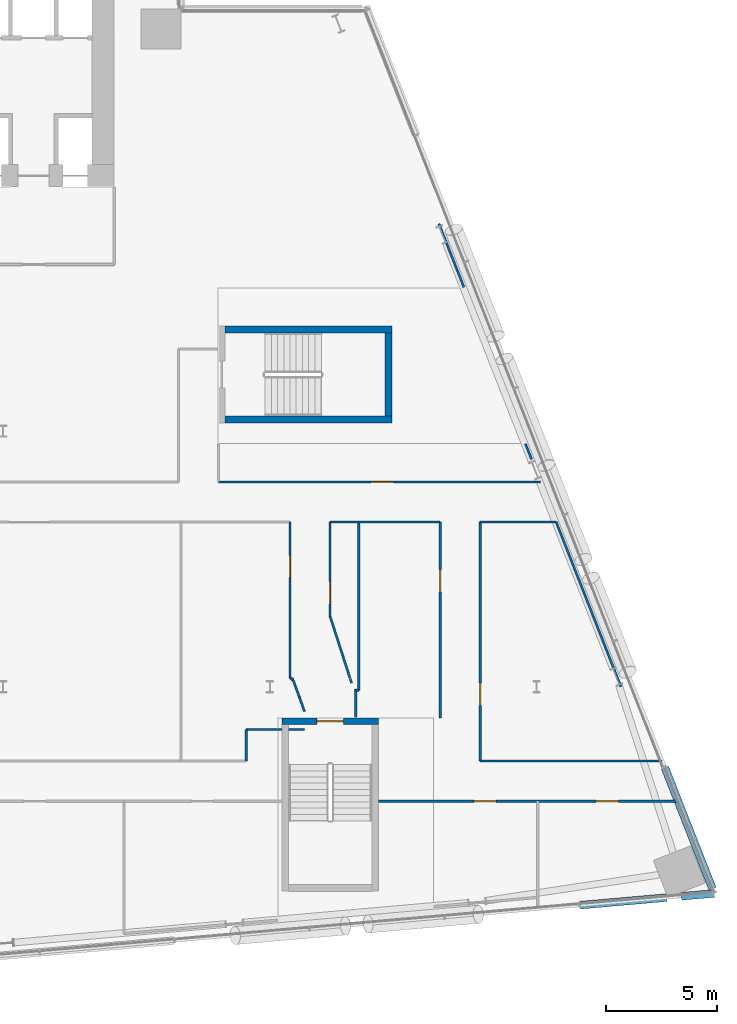
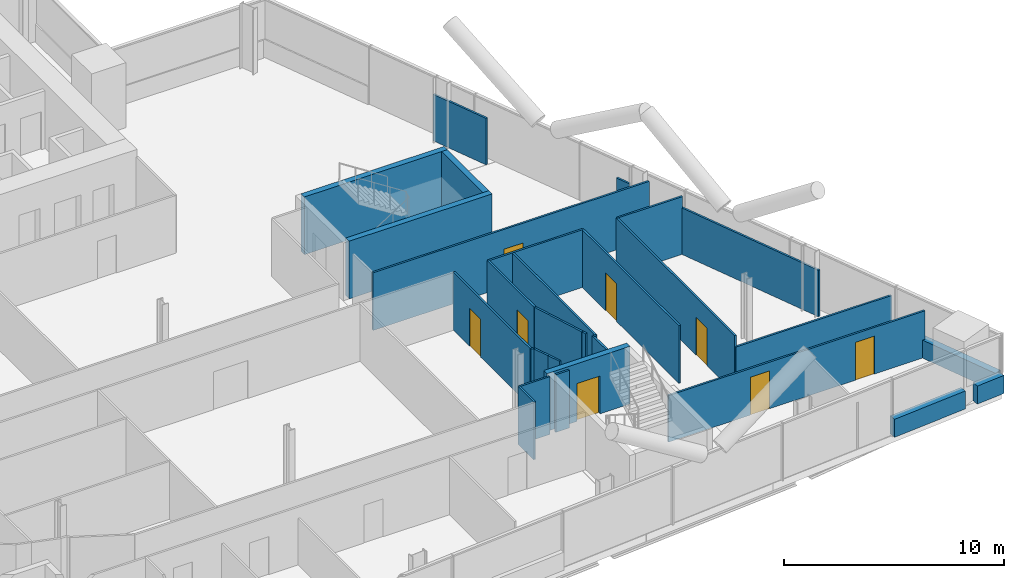
# One storey, part 20 of 28: 30 walls, 8 doors, 8 openings.
"""IFC4 building model written with IfcOpenShell, lengths in metres."""

from ifc_helpers import new_model, si_unit, direction, frame, frame_2d, origin, place, context, subcontext, project, spatial, rectangle, extrude, material, layer, layer_set, type_object, element, fill, save


model = new_model("IFC4")

# Units and contexts
model_context = context("Model", 3, precision=1e-05, world=origin(), true_north=direction((0.0, 1.0)))
body_context = subcontext(model_context, "Body", "Model", "MODEL_VIEW")
ifc_project = project(units=[si_unit("LENGTHUNIT", "METRE"), si_unit("AREAUNIT", "SQUARE_METRE"), si_unit("VOLUMEUNIT", "CUBIC_METRE"), si_unit("PLANEANGLEUNIT", "RADIAN"), si_unit("MASSUNIT", "GRAM", prefix="KILO")], contexts=[model_context])

# Site, building, storey
site_placement = place(None, origin())
site = spatial("IfcSite", under=ifc_project, at=site_placement, CompositionType="ELEMENT")
building_placement = place(site_placement, origin())
building = spatial("IfcBuilding", under=site, at=building_placement, Name="Wharfspan Tower", CompositionType="ELEMENT")
storey_placement = place(building_placement, frame((0.0, 0.0, 132.699951)))
storey = spatial("IfcBuildingStorey", under=building, at=storey_placement, Name="L31", CompositionType="ELEMENT", Elevation=132.699951)

# Wall, opening, door
ifc_material_1 = material(Name="Gypsum board on steel studs", Category="steel")
ifc_layer_1 = layer(ifc_material_1, 0.100098)
ifc_layer_set_1 = layer_set([ifc_layer_1], Name="Gypsum board on steel studs")
wall_type_1 = type_object("IfcWallType", Name="Compartment wall 100 EI 60", PredefinedType="PARTITIONING", material=ifc_layer_set_1)
wall_1_placement = place(storey_placement, frame((69.689941, 20.715088, 0.0), z_axis=(0.0, 0.0, 1.0), x_axis=(1.0, 0.0, 0.0)))
wall_1 = element("IfcWall", 1, at=wall_1_placement, inside=storey, type_object=wall_type_1, Name="Partition L31.w062", PredefinedType="PARTITIONING", context=body_context, shape_type="SweptSolid", body=[
    extrude(rectangle(XDim=14.485107, YDim=0.100098, at=frame_2d((7.242676, 0.0))), origin(), (0.0, 0.0, 1.0), 3.199951),
])
opening_1_placement = place(wall_1_placement, frame((6.87085, 0.0, 0.0)))
opening_1 = element("IfcOpeningElement", 2, at=opening_1_placement, cuts=wall_1, Name="Opening B5-28", PredefinedType="OPENING", context=body_context, shape_type="SweptSolid", body=[
    extrude(rectangle(XDim=1.0, YDim=2.100098, at=frame_2d((0.5, 1.050049))), frame((0.0, 0.060059, 0.0), z_axis=(0.0, -1.0, 0.0), x_axis=(1.0, 0.0, 0.0)), (0.0, 0.0, 1.0), 0.120117),
])
ifc_material_2 = material(Name="Fire-rated timber door leaf in steel frame", Category="steel")
door_type_1 = type_object("IfcDoorType", Name="Door 1000 FD30S Right", OperationType="SINGLE_SWING_RIGHT", PredefinedType="DOOR", material=ifc_material_2)
door_1_placement = place(opening_1_placement, origin())
door_1 = element("IfcDoor", 3, at=door_1_placement, inside=storey, type_object=door_type_1, Name="Door B5-28", OperationType="SINGLE_SWING_RIGHT", OverallHeight=2.100098, OverallWidth=1.0, PredefinedType="DOOR", context=body_context, shape_type="SweptSolid", body=[
    extrude(rectangle(XDim=1.0, YDim=2.100098, at=frame_2d((0.5, 1.050049))), frame((0.0, 0.024902, 0.0), z_axis=(0.0, -1.0, 0.0), x_axis=(1.0, 0.0, 0.0)), (0.0, 0.0, 1.0), 0.050049),
])
fill(opening_1, door_1)

# Walls
wall_2_placement = place(storey_placement, frame((70.939941, 8.149902, 0.0), z_axis=(0.0, 0.0, 1.0), x_axis=(0.0, 1.0, 0.0)))
element("IfcWall", 4, at=wall_2_placement, inside=storey, type_object=wall_type_1, Name="Partition L31.w063", PredefinedType="PARTITIONING", context=body_context, shape_type="SweptSolid", body=[
    extrude(rectangle(XDim=1.420166, YDim=0.100098, at=frame_2d((0.709961, 0.0))), origin(), (0.0, 0.0, 1.0), 3.199951),
])
wall_3_placement = place(storey_placement, frame((70.939941, 9.574951, 0.0), z_axis=(0.0, 0.0, 1.0), x_axis=(1.0, 0.0, 0.0)))
element("IfcWall", 5, at=wall_3_placement, inside=storey, type_object=wall_type_1, Name="Partition L31.w064", PredefinedType="PARTITIONING", context=body_context, shape_type="SweptSolid", body=[
    extrude(rectangle(XDim=1.601074, YDim=0.100098, at=frame_2d((0.800537, 0.0))), origin(), (0.0, 0.0, 1.0), 3.199951),
])

# Wall, opening, door
wall_4_placement = place(storey_placement, frame((72.915039, 11.89502, 0.0), z_axis=(0.0, 0.0, 1.0), x_axis=(0.0, 1.0, 0.0)))
wall_4 = element("IfcWall", 6, at=wall_4_placement, inside=storey, type_object=wall_type_1, Name="Partition L31.w065", PredefinedType="PARTITIONING", context=body_context, shape_type="SweptSolid", body=[
    extrude(rectangle(XDim=7.02002, YDim=0.100098, at=frame_2d((3.51001, 0.0))), origin(), (0.0, 0.0, 1.0), 3.199951),
])
opening_2_placement = place(wall_4_placement, frame((4.514893, 0.0, 0.0)))
opening_2 = element("IfcOpeningElement", 7, at=opening_2_placement, cuts=wall_4, Name="Opening B5-22", PredefinedType="OPENING", context=body_context, shape_type="SweptSolid", body=[
    extrude(rectangle(XDim=1.0, YDim=2.100098, at=frame_2d((0.5, 1.050049))), frame((0.0, 0.060059, 0.0), z_axis=(0.0, -1.0, 0.0), x_axis=(1.0, 0.0, 0.0)), (0.0, 0.0, 1.0), 0.120117),
])
door_2_placement = place(opening_2_placement, origin())
door_2 = element("IfcDoor", 8, at=door_2_placement, inside=storey, type_object=door_type_1, Name="Door B5-22", OperationType="SINGLE_SWING_RIGHT", OverallHeight=2.100098, OverallWidth=1.0, PredefinedType="DOOR", context=body_context, shape_type="SweptSolid", body=[
    extrude(rectangle(XDim=1.0, YDim=2.100098, at=frame_2d((0.5, 1.050049))), frame((0.0, 0.024902, 0.0), z_axis=(0.0, -1.0, 0.0), x_axis=(1.0, 0.0, 0.0)), (0.0, 0.0, 1.0), 0.050049),
])
fill(opening_2, door_2)

# Walls
wall_5_placement = place(storey_placement, frame((73.044922, 11.814941, 0.0), z_axis=(0.0, 0.0, 1.0), x_axis=(-0.851221, 0.524813, 0.0)))
element("IfcWall", 9, at=wall_5_placement, inside=storey, type_object=wall_type_1, Name="Partition L31.w066", PredefinedType="PARTITIONING", context=body_context, shape_type="SweptSolid", body=[
    extrude(rectangle(XDim=0.152588, YDim=0.100098, at=frame_2d((0.076172, 0.0))), origin(), (0.0, 0.0, 1.0), 3.199951),
])
wall_6_placement = place(storey_placement, frame((73.330078, 11.034912, 0.0), z_axis=(0.0, 0.0, 1.0), x_axis=(-0.343347, 0.939207, 0.0)))
element("IfcWall", 10, at=wall_6_placement, inside=storey, type_object=wall_type_1, Name="Partition L31.w067", PredefinedType="PARTITIONING", context=body_context, shape_type="SweptSolid", body=[
    extrude(rectangle(XDim=0.830566, YDim=0.100098, at=frame_2d((0.415283, 0.0))), origin(), (0.0, 0.0, 1.0), 3.199951),
])
wall_7_placement = place(storey_placement, frame((73.564941, 10.379883, 0.0), z_axis=(0.0, 0.0, 1.0), x_axis=(-0.337515, 0.941323, 0.0)))
element("IfcWall", 11, at=wall_7_placement, inside=storey, type_object=wall_type_1, Name="Partition L31.w069", PredefinedType="PARTITIONING", context=body_context, shape_type="SweptSolid", body=[
    extrude(rectangle(XDim=0.695801, YDim=0.100098, at=frame_2d((0.3479, 0.0))), origin(), (0.0, 0.0, 1.0), 3.199951),
])

# Wall, opening, door
wall_8_placement = place(storey_placement, frame((74.715088, 14.659912, 0.0), z_axis=(0.0, 0.0, 1.0), x_axis=(0.0, 1.0, 0.0)))
wall_8 = element("IfcWall", 12, at=wall_8_placement, inside=storey, type_object=wall_type_1, Name="Partition L31.w070", PredefinedType="PARTITIONING", context=body_context, shape_type="SweptSolid", body=[
    extrude(rectangle(XDim=4.255127, YDim=0.100098, at=frame_2d((2.127441, 0.0))), origin(), (0.0, 0.0, 1.0), 3.199951),
])
opening_3_placement = place(wall_8_placement, frame((0.56543, 0.0, 0.0)))
opening_3 = element("IfcOpeningElement", 13, at=opening_3_placement, cuts=wall_8, Name="Opening B5-19", PredefinedType="OPENING", context=body_context, shape_type="SweptSolid", body=[
    extrude(rectangle(XDim=1.0, YDim=2.100098, at=frame_2d((0.5, 1.050049))), frame((0.0, 0.060059, 0.0), z_axis=(0.0, -1.0, 0.0), x_axis=(1.0, 0.0, 0.0)), (0.0, 0.0, 1.0), 0.120117),
])
door_type_2 = type_object("IfcDoorType", Name="Door 1000 FD30S Left", OperationType="SINGLE_SWING_LEFT", PredefinedType="DOOR", material=ifc_material_2)
door_3_placement = place(opening_3_placement, origin())
door_3 = element("IfcDoor", 14, at=door_3_placement, inside=storey, type_object=door_type_2, Name="Door B5-19", OperationType="SINGLE_SWING_LEFT", OverallHeight=2.100098, OverallWidth=1.0, PredefinedType="DOOR", context=body_context, shape_type="SweptSolid", body=[
    extrude(rectangle(XDim=1.0, YDim=2.100098, at=frame_2d((0.5, 1.050049))), frame((0.0, 0.024902, 0.0), z_axis=(0.0, -1.0, 0.0), x_axis=(1.0, 0.0, 0.0)), (0.0, 0.0, 1.0), 0.050049),
])
fill(opening_3, door_3)

# Walls
wall_9_placement = place(storey_placement, frame((74.715088, 18.915039, 0.0), z_axis=(0.0, 0.0, 1.0), x_axis=(1.0, 0.0, 0.0)))
element("IfcWall", 15, at=wall_9_placement, inside=storey, type_object=wall_type_1, Name="Partition L31.w071", PredefinedType="PARTITIONING", context=body_context, shape_type="SweptSolid", body=[
    extrude(rectangle(XDim=4.954834, YDim=0.100098, at=frame_2d((2.477539, 0.0))), origin(), (0.0, 0.0, 1.0), 3.199951),
])
wall_10_placement = place(storey_placement, frame((75.60498, 11.89502, 0.0), z_axis=(0.0, 0.0, 1.0), x_axis=(-0.306376, 0.951909, 0.0)))
element("IfcWall", 16, at=wall_10_placement, inside=storey, type_object=wall_type_1, Name="Partition L31.w072", PredefinedType="PARTITIONING", context=body_context, shape_type="SweptSolid", body=[
    extrude(rectangle(XDim=2.904541, YDim=0.100098, at=frame_2d((1.452148, 0.0))), origin(), (0.0, 0.0, 1.0), 3.199951),
])
wall_11_placement = place(storey_placement, frame((75.679932, 11.665039, 0.0), z_axis=(0.0, 0.0, 1.0), x_axis=(-0.308902, 0.951093, 0.0)))
element("IfcWall", 17, at=wall_11_placement, inside=storey, type_object=wall_type_1, Name="Partition L31.w073", PredefinedType="PARTITIONING", context=body_context, shape_type="SweptSolid", body=[
    extrude(rectangle(XDim=0.210205, YDim=0.100098, at=frame_2d((0.10498, 0.0))), origin(), (0.0, 0.0, 1.0), 3.199951),
])
wall_12_placement = place(storey_placement, frame((75.86499, 10.114746, 0.0), z_axis=(0.0, 0.0, 1.0), x_axis=(0.0, 1.0, 0.0)))
element("IfcWall", 18, at=wall_12_placement, inside=storey, type_object=wall_type_1, Name="Partition L31.w074", PredefinedType="PARTITIONING", context=body_context, shape_type="SweptSolid", body=[
    extrude(rectangle(XDim=1.280273, YDim=0.100098, at=frame_2d((0.640137, 0.0))), origin(), (0.0, 0.0, 1.0), 3.199951),
])
wall_13_placement = place(storey_placement, frame((75.86499, 11.314941, 0.0), z_axis=(0.0, 0.0, 1.0), x_axis=(0.989182, 0.146678, 0.0)))
element("IfcWall", 19, at=wall_13_placement, inside=storey, type_object=wall_type_1, Name="Partition L31.w075", PredefinedType="PARTITIONING", context=body_context, shape_type="SweptSolid", body=[
    extrude(rectangle(XDim=0.136475, YDim=0.100098, at=frame_2d((0.068359, 0.0))), origin(), (0.0, 0.0, 1.0), 3.199951),
])
wall_14_placement = place(storey_placement, frame((76.0, 11.334961, 0.0), z_axis=(0.0, 0.0, 1.0), x_axis=(0.0, 1.0, 0.0)))
element("IfcWall", 20, at=wall_14_placement, inside=storey, type_object=wall_type_1, Name="Partition L31.w076", PredefinedType="PARTITIONING", context=body_context, shape_type="SweptSolid", body=[
    extrude(rectangle(XDim=7.580078, YDim=0.100098, at=frame_2d((3.790039, 0.0))), origin(), (0.0, 0.0, 1.0), 3.199951),
])

# Wall, openings, doors
wall_15_placement = place(storey_placement, frame((76.891113, 6.344971, 0.0), z_axis=(0.0, 0.0, 1.0), x_axis=(1.0, 0.0, 0.0)))
wall_15 = element("IfcWall", 21, at=wall_15_placement, inside=storey, type_object=wall_type_1, Name="Partition L31.w077", PredefinedType="PARTITIONING", context=body_context, shape_type="SweptSolid", body=[
    extrude(rectangle(XDim=13.458496, YDim=0.100098, at=frame_2d((6.729248, 0.0))), origin(), (0.0, 0.0, 1.0), 2.580078),
])
opening_4_placement = place(wall_15_placement, frame((4.293945, 0.0, 0.0)))
opening_4 = element("IfcOpeningElement", 22, at=opening_4_placement, cuts=wall_15, Name="Opening B5-12", PredefinedType="OPENING", context=body_context, shape_type="SweptSolid", body=[
    extrude(rectangle(XDim=1.0, YDim=2.100098, at=frame_2d((0.5, 1.050049))), frame((0.0, 0.060059, 0.0), z_axis=(0.0, -1.0, 0.0), x_axis=(1.0, 0.0, 0.0)), (0.0, 0.0, 1.0), 0.120117),
])
opening_5_placement = place(wall_15_placement, frame((9.793945, 0.0, 0.0)))
opening_5 = element("IfcOpeningElement", 23, at=opening_5_placement, cuts=wall_15, Name="Opening B5-13", PredefinedType="OPENING", context=body_context, shape_type="SweptSolid", body=[
    extrude(rectangle(XDim=1.0, YDim=2.100098, at=frame_2d((0.5, 1.050049))), frame((0.0, 0.060059, 0.0), z_axis=(0.0, -1.0, 0.0), x_axis=(1.0, 0.0, 0.0)), (0.0, 0.0, 1.0), 0.120117),
])
door_4_placement = place(opening_4_placement, origin())
door_4 = element("IfcDoor", 24, at=door_4_placement, inside=storey, type_object=door_type_2, Name="Door B5-12", OperationType="SINGLE_SWING_LEFT", OverallHeight=2.100098, OverallWidth=1.0, PredefinedType="DOOR", context=body_context, shape_type="SweptSolid", body=[
    extrude(rectangle(XDim=1.0, YDim=2.100098, at=frame_2d((0.5, 1.050049))), frame((0.0, 0.024902, 0.0), z_axis=(0.0, -1.0, 0.0), x_axis=(1.0, 0.0, 0.0)), (0.0, 0.0, 1.0), 0.050049),
])
fill(opening_4, door_4)
door_5_placement = place(opening_5_placement, origin())
door_5 = element("IfcDoor", 25, at=door_5_placement, inside=storey, type_object=door_type_1, Name="Door B5-13", OperationType="SINGLE_SWING_RIGHT", OverallHeight=2.100098, OverallWidth=1.0, PredefinedType="DOOR", context=body_context, shape_type="SweptSolid", body=[
    extrude(rectangle(XDim=1.0, YDim=2.100098, at=frame_2d((0.5, 1.050049))), frame((0.0, 0.024902, 0.0), z_axis=(0.0, -1.0, 0.0), x_axis=(1.0, 0.0, 0.0)), (0.0, 0.0, 1.0), 0.050049),
])
fill(opening_5, door_5)

# Wall, opening, door
wall_16_placement = place(storey_placement, frame((79.669922, 10.094971, 0.0), z_axis=(0.0, 0.0, 1.0), x_axis=(0.0, 1.0, 0.0)))
wall_16 = element("IfcWall", 26, at=wall_16_placement, inside=storey, type_object=wall_type_1, Name="Partition L31.w079", PredefinedType="PARTITIONING", context=body_context, shape_type="SweptSolid", body=[
    extrude(rectangle(XDim=8.820068, YDim=0.100098, at=frame_2d((4.410156, 0.0))), origin(), (0.0, 0.0, 1.0), 3.199951),
])
opening_6_placement = place(wall_16_placement, frame((5.669922, 0.0, 0.0)))
opening_6 = element("IfcOpeningElement", 27, at=opening_6_placement, cuts=wall_16, Name="Opening B5-21", PredefinedType="OPENING", context=body_context, shape_type="SweptSolid", body=[
    extrude(rectangle(XDim=1.0, YDim=2.100098, at=frame_2d((0.5, 1.050049))), frame((0.0, 0.060059, 0.0), z_axis=(0.0, -1.0, 0.0), x_axis=(1.0, 0.0, 0.0)), (0.0, 0.0, 1.0), 0.120117),
])
door_6_placement = place(opening_6_placement, origin())
door_6 = element("IfcDoor", 28, at=door_6_placement, inside=storey, type_object=door_type_1, Name="Door B5-21", OperationType="SINGLE_SWING_RIGHT", OverallHeight=2.100098, OverallWidth=1.0, PredefinedType="DOOR", context=body_context, shape_type="SweptSolid", body=[
    extrude(rectangle(XDim=1.0, YDim=2.100098, at=frame_2d((0.5, 1.050049))), frame((0.0, 0.024902, 0.0), z_axis=(0.0, -1.0, 0.0), x_axis=(1.0, 0.0, 0.0)), (0.0, 0.0, 1.0), 0.050049),
])
fill(opening_6, door_6)

wall_17_placement = place(storey_placement, frame((81.469971, 8.149902, 0.0), z_axis=(0.0, 0.0, 1.0), x_axis=(0.0, 1.0, 0.0)))
wall_17 = element("IfcWall", 29, at=wall_17_placement, inside=storey, type_object=wall_type_1, Name="Partition L31.w081", PredefinedType="PARTITIONING", context=body_context, shape_type="SweptSolid", body=[
    extrude(rectangle(XDim=10.765137, YDim=0.100098, at=frame_2d((5.382568, 0.0))), origin(), (0.0, 0.0, 1.0), 3.199951),
])
opening_7_placement = place(wall_17_placement, frame((2.51001, 0.0, 0.0)))
opening_7 = element("IfcOpeningElement", 30, at=opening_7_placement, cuts=wall_17, Name="Opening B5-16", PredefinedType="OPENING", context=body_context, shape_type="SweptSolid", body=[
    extrude(rectangle(XDim=1.0, YDim=2.100098, at=frame_2d((0.5, 1.050049))), frame((0.0, 0.060059, 0.0), z_axis=(0.0, -1.0, 0.0), x_axis=(1.0, 0.0, 0.0)), (0.0, 0.0, 1.0), 0.120117),
])
door_7_placement = place(opening_7_placement, origin())
door_7 = element("IfcDoor", 31, at=door_7_placement, inside=storey, type_object=door_type_2, Name="Door B5-16", OperationType="SINGLE_SWING_LEFT", OverallHeight=2.100098, OverallWidth=1.0, PredefinedType="DOOR", context=body_context, shape_type="SweptSolid", body=[
    extrude(rectangle(XDim=1.0, YDim=2.100098, at=frame_2d((0.5, 1.050049))), frame((0.0, 0.024902, 0.0), z_axis=(0.0, -1.0, 0.0), x_axis=(1.0, 0.0, 0.0)), (0.0, 0.0, 1.0), 0.050049),
])
fill(opening_7, door_7)

# Walls
wall_18_placement = place(storey_placement, frame((81.469971, 8.149902, 0.0), z_axis=(0.0, 0.0, 1.0), x_axis=(1.0, 0.0, 0.0)))
element("IfcWall", 32, at=wall_18_placement, inside=storey, type_object=wall_type_1, Name="Partition L31.w082", PredefinedType="PARTITIONING", context=body_context, shape_type="SweptSolid", body=[
    extrude(rectangle(XDim=8.170166, YDim=0.100098, at=frame_2d((4.084961, 0.0))), origin(), (0.0, 0.0, 1.0), 2.580078),
])
wall_19_placement = place(storey_placement, frame((81.469971, 18.915039, 0.0), z_axis=(0.0, 0.0, 1.0), x_axis=(1.0, 0.0, 0.0)))
element("IfcWall", 33, at=wall_19_placement, inside=storey, type_object=wall_type_1, Name="Partition L31.w083", PredefinedType="PARTITIONING", context=body_context, shape_type="SweptSolid", body=[
    extrude(rectangle(XDim=3.415039, YDim=0.100098, at=frame_2d((1.70752, 0.0))), origin(), (0.0, 0.0, 1.0), 3.199951),
])
wall_20_placement = place(storey_placement, frame((87.800049, 11.5, 0.0), z_axis=(0.0, 0.0, 1.0), x_axis=(-0.365869, 0.930668, 0.0)))
element("IfcWall", 34, at=wall_20_placement, inside=storey, type_object=wall_type_1, Name="Partition L31.w088", PredefinedType="PARTITIONING", context=body_context, shape_type="SweptSolid", body=[
    extrude(rectangle(XDim=7.967529, YDim=0.100098, at=frame_2d((3.983887, 0.0))), origin(), (0.0, 0.0, 1.0), 2.580078),
])
wall_21_placement = place(storey_placement, frame((72.841064, 9.574951, 0.0), z_axis=(0.0, 0.0, 1.0), x_axis=(1.0, 0.0, 0.0)))
element("IfcWall", 35, at=wall_21_placement, inside=storey, type_object=wall_type_1, Name="Partition L31.w064 (2)", PredefinedType="PARTITIONING", context=body_context, shape_type="SweptSolid", body=[
    extrude(rectangle(XDim=0.723877, YDim=0.100098, at=frame_2d((0.361816, 0.0))), origin(), (0.0, 0.0, 1.0), 3.199951),
])
ifc_layer_2 = layer(ifc_material_1, 0.100098)
ifc_layer_set_2 = layer_set([ifc_layer_2], Name="Gypsum board on steel studs")
wall_type_2 = type_object("IfcWallType", Name="Partition 100", PredefinedType="PARTITIONING", material=ifc_layer_set_2)
wall_22_placement = place(storey_placement, frame((80.737061, 29.469971, 0.0), z_axis=(0.0, 0.0, 1.0), x_axis=(-0.366592, 0.930378, 0.0)))
element("IfcWall", 36, at=wall_22_placement, inside=storey, type_object=wall_type_2, Name="Partition L31.w080", PredefinedType="PARTITIONING", context=body_context, shape_type="SweptSolid", body=[
    extrude(rectangle(XDim=3.074219, YDim=0.100098, at=frame_2d((1.537109, 0.0))), origin(), (0.0, 0.0, 1.0), 2.580078),
])
wall_23_placement = place(storey_placement, frame((83.780029, 21.72998, 0.0), z_axis=(0.0, 0.0, 1.0), x_axis=(-0.368088, 0.929787, 0.0)))
element("IfcWall", 37, at=wall_23_placement, inside=storey, type_object=wall_type_2, Name="Partition L31.w085", PredefinedType="PARTITIONING", context=body_context, shape_type="SweptSolid", body=[
    extrude(rectangle(XDim=0.752686, YDim=0.100098, at=frame_2d((0.376465, 0.0))), origin(), (0.0, 0.0, 1.0), 2.580078),
])
ifc_material_3 = material(Name="Concrete C40/50", Category="concrete")
ifc_layer_3 = layer(ifc_material_3, 0.350098)
ifc_layer_set_3 = layer_set([ifc_layer_3], Name="Concrete C40/50")
wall_type_3 = type_object("IfcWallType", Name="SPANDREL EXPOSED CONCRETE 350", PredefinedType="SOLIDWALL", material=ifc_layer_set_3)
wall_24_placement = place(storey_placement, frame((85.958984, 1.666504, 0.0), z_axis=(0.0, 0.0, 1.0), x_axis=(0.996194, 0.087167, 0.0)))
element("IfcWall", 38, at=wall_24_placement, inside=storey, type_object=wall_type_3, Name="Spandrel upstand L31 S2 2", PredefinedType="SOLIDWALL", context=body_context, shape_type="SweptSolid", body=[
    extrude(rectangle(XDim=3.921143, YDim=0.350098, at=frame_2d((1.960449, 0.0))), origin(), (0.0, 0.0, 1.0), 1.0),
])
wall_25_placement = place(storey_placement, frame((90.5271, 2.066162, 0.0), z_axis=(0.0, 0.0, 1.0), x_axis=(0.996198, 0.087157, 0.0)))
element("IfcWall", 39, at=wall_25_placement, inside=storey, type_object=wall_type_3, Name="Spandrel upstand L31 S2 3", PredefinedType="SOLIDWALL", context=body_context, shape_type="SweptSolid", body=[
    extrude(rectangle(XDim=1.479004, YDim=0.350098, at=frame_2d((0.739502, 0.0))), origin(), (0.0, 0.0, 1.0), 1.0),
])
wall_26_placement = place(storey_placement, frame((91.921387, 2.413574, 0.0), z_axis=(0.0, 0.0, 1.0), x_axis=(-0.36578, 0.930701, 0.0)))
element("IfcWall", 40, at=wall_26_placement, inside=storey, type_object=wall_type_3, Name="Spandrel upstand L31 E 1", PredefinedType="SOLIDWALL", context=body_context, shape_type="SweptSolid", body=[
    extrude(rectangle(XDim=5.851562, YDim=0.350098, at=frame_2d((2.925781, 0.0))), origin(), (0.0, 0.0, 1.0), 1.0),
])

# Wall, opening, door
ifc_layer_4 = layer(ifc_material_3, 0.300049)
ifc_layer_set_4 = layer_set([ifc_layer_4], Name="Concrete C40/50")
wall_type_4 = type_object("IfcWallType", Name="Stair core wall 300", PredefinedType="SHEAR", material=ifc_layer_set_4)
wall_27_placement = place(storey_placement, frame((72.541016, 9.94458, 0.0), z_axis=(0.0, 0.0, 1.0), x_axis=(1.0, 0.0, 0.0)))
wall_27 = element("IfcWall", 41, at=wall_27_placement, inside=storey, type_object=wall_type_4, Name="ST5 stair enclosure wall L31", PredefinedType="SHEAR", context=body_context, shape_type="SweptSolid", body=[
    extrude(rectangle(XDim=4.350098, YDim=0.300049, at=frame_2d((2.175049, 0.0))), origin(), (0.0, 0.0, 1.0), 3.199951),
])
opening_8_placement = place(wall_27_placement, frame((1.574951, 0.0, 0.0)))
opening_8 = element("IfcOpeningElement", 42, at=opening_8_placement, cuts=wall_27, Name="Opening SD5.L31", PredefinedType="OPENING", context=body_context, shape_type="SweptSolid", body=[
    extrude(rectangle(XDim=1.199951, YDim=2.100098, at=frame_2d((0.600098, 1.050049))), frame((0.0, 0.159912, 0.0), z_axis=(0.0, -1.0, 0.0), x_axis=(1.0, 0.0, 0.0)), (0.0, 0.0, 1.0), 0.320068),
])
ifc_material_4 = material(Name="Steel door leaf", Category="steel")
door_type_3 = type_object("IfcDoorType", Name="Stair door 1200x2100", OperationType="SINGLE_SWING_LEFT", PredefinedType="DOOR", material=ifc_material_4)
door_8_placement = place(opening_8_placement, origin())
door_8 = element("IfcDoor", 43, at=door_8_placement, inside=storey, type_object=door_type_3, Name="sd:L31:ST5z2", OperationType="SINGLE_SWING_RIGHT", OverallHeight=2.100098, OverallWidth=1.199951, PredefinedType="DOOR", context=body_context, shape_type="SweptSolid", body=[
    extrude(rectangle(XDim=1.199951, YDim=2.100098, at=frame_2d((0.600098, 1.050049))), frame((0.0, 0.024902, 0.0), z_axis=(0.0, -1.0, 0.0), x_axis=(1.0, 0.0, 0.0)), (0.0, 0.0, 1.0), 0.050049),
])
fill(opening_8, door_8)

# Walls
for number, where, z_axis, x_axis, name in (
    (44, (69.990479, 23.524902, 0.0), (0.0, 0.0, 1.0), (1.0, 0.0, 0.0), "ST6 stair enclosure wall L31"),
    (45, (69.990479, 27.574951, 0.0), (0.0, 0.0, 1.0), (1.0, 0.0, 0.0), "ST6 stair enclosure wall L31"),
):
    element("IfcWall", number, at=place(storey_placement, frame(where, z_axis=z_axis, x_axis=x_axis)), inside=storey, type_object=wall_type_4, Name=name, PredefinedType="SHEAR", context=body_context, shape_type="SweptSolid", body=[
        extrude(rectangle(XDim=7.5, YDim=0.300049, at=frame_2d((3.75, 0.0))), origin(), (0.0, 0.0, 1.0), 3.199951),
    ])
wall_28_placement = place(storey_placement, frame((77.340332, 23.675049, 0.0), z_axis=(0.0, 0.0, 1.0), x_axis=(0.0, 1.0, 0.0)))
element("IfcWall", 46, at=wall_28_placement, inside=storey, type_object=wall_type_4, Name="ST6 stair enclosure wall L31", PredefinedType="SHEAR", context=body_context, shape_type="SweptSolid", body=[
    extrude(rectangle(XDim=3.75, YDim=0.300049, at=frame_2d((1.875, 0.0))), origin(), (0.0, 0.0, 1.0), 3.199951),
])

save(model, "model.ifc")
